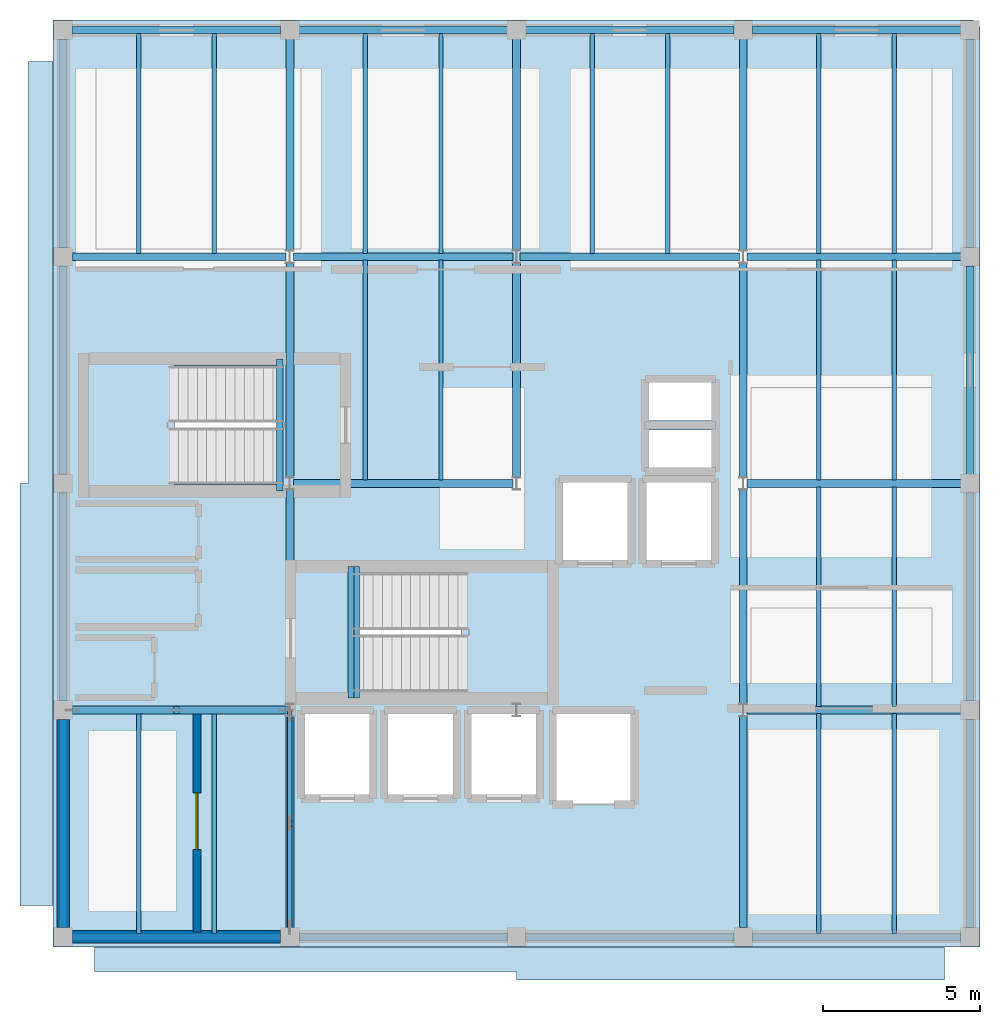
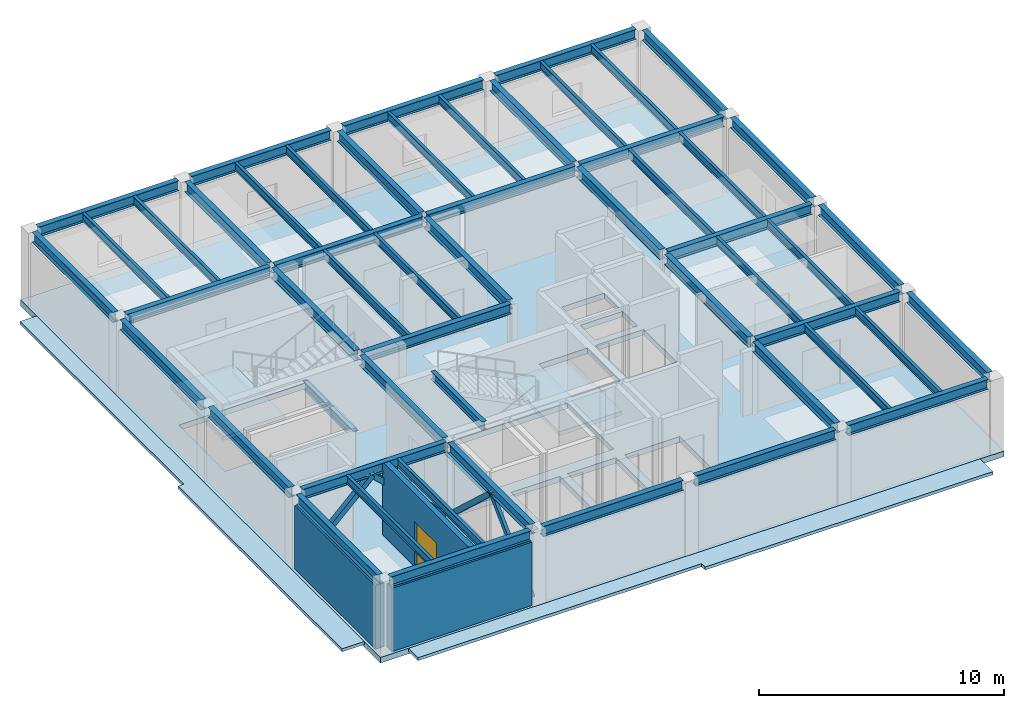
# One storey, part 3 of 8: 55 beams, 5 slabs, 4 members, 3 walls, 1 door, 1 opening, 2 elements without a shape of their own.
"""IFC4 building model written with IfcOpenShell, lengths in metres."""

from ifc_helpers import new_model, si_unit, direction, frame, frame_2d, origin, origin_2d, place, context, subcontext, project, spatial, polyline, rectangle, hollow_rectangle, i_section, outline, extrude, material, layer, layer_set, material_profile, profile_set, type_object, element, fill, aggregate, save


model = new_model("IFC4")

# Units and contexts
model_context = context("Model", 3, precision=1e-05, world=origin(), true_north=direction((0.0, 1.0)))
body_context = subcontext(model_context, "Body", "Model", "MODEL_VIEW")
ifc_project = project(units=[si_unit("LENGTHUNIT", "METRE"), si_unit("AREAUNIT", "SQUARE_METRE"), si_unit("VOLUMEUNIT", "CUBIC_METRE"), si_unit("PLANEANGLEUNIT", "RADIAN"), si_unit("MASSUNIT", "GRAM", prefix="KILO")], contexts=[model_context])

# Site, building, storey
site_placement = place(None, origin())
site = spatial("IfcSite", under=ifc_project, at=site_placement, CompositionType="ELEMENT")
building_placement = place(site_placement, origin())
building = spatial("IfcBuilding", under=site, at=building_placement, Name="Kandorven Conservatory and Botanical Research Centre", CompositionType="ELEMENT")
storey_placement = place(building_placement, frame((0.0, 0.0, 40.5)))
storey = spatial("IfcBuildingStorey", under=building, at=storey_placement, Name="L10", CompositionType="ELEMENT", Elevation=40.5)

# Beams
ifc_material_1 = material(Name="Steel S355 (IS 2062 E350)", Category="steel")
ifc_material_profile_1 = material_profile(ifc_material_1, i_section(OverallWidth=0.25, OverallDepth=0.5, WebThickness=0.010009765625, FlangeThickness=0.0146484375, at=origin_2d()))
ifc_profile_set_1 = profile_set([ifc_material_profile_1], Name="Steel S355 (IS 2062 E350)")
beam_type_1 = type_object("IfcBeamType", Name="Beam_FG-02", PredefinedType="USERDEFINED", material=ifc_profile_set_1)
beam_1_placement = place(storey_placement, frame((6.2900390625, 6.0, 3.429931640625), z_axis=(1.0, 0.0, 0.0), x_axis=(0.0, 1.0, 0.0)))
element("IfcBeam", 1, at=beam_1_placement, inside=storey, type_object=beam_type_1, Name="Primary girder FG-02 TWR L10", ObjectType="GIRDER", PredefinedType="USERDEFINED", context=body_context, shape_type="SweptSolid", body=[
    extrude(i_section(OverallWidth=0.25, OverallDepth=0.5, WebThickness=0.010009765625, FlangeThickness=0.0146484375, at=origin_2d()), origin(), (0.0, 0.0, 1.0), 6.619873046875),
])
for number, where, z_axis, x_axis, name in (
    (2, (13.489990234375, 6.0, 3.429931640625), (1.0, 0.0, 0.0), (0.0, 1.0, 0.0), "Primary girder FG-02 TWR L10"),
    (3, (20.68994140625, 6.0, 3.429931640625), (1.0, 0.0, 0.0), (0.0, 1.0, 0.0), "Primary girder FG-02 TWR L10"),
    (4, (27.889892578125, 6.0, 3.429931640625), (1.0, 0.0, 0.0), (0.0, 1.0, 0.0), "Primary girder FG-02 TWR L10"),
):
    element("IfcBeam", number, at=place(storey_placement, frame(where, z_axis=z_axis, x_axis=x_axis)), inside=storey, type_object=beam_type_1, Name=name, ObjectType="GIRDER", PredefinedType="USERDEFINED", context=body_context, shape_type="SweptSolid", body=[
        extrude(i_section(OverallWidth=0.25, OverallDepth=0.5, WebThickness=0.010009765625, FlangeThickness=0.0146484375, at=origin_2d()), origin(), (0.0, 0.0, 1.0), 6.6201171875),
    ])
for number, where, z_axis, x_axis, name in (
    (5, (6.2900390625, 13.199951171875, 3.429931640625), (1.0, 0.0, 0.0), (0.0, 1.0, 0.0), "Primary girder FG-02 TWR L10"),
    (6, (27.715087890625, 13.199951171875, 3.429931640625), (1.0, 0.0, 0.0), (0.0, 1.0, 0.0), "Primary girder FG-02 TWR L10"),
):
    element("IfcBeam", number, at=place(storey_placement, frame(where, z_axis=z_axis, x_axis=x_axis)), inside=storey, type_object=beam_type_1, Name=name, ObjectType="GIRDER", PredefinedType="USERDEFINED", context=body_context, shape_type="SweptSolid", body=[
        extrude(i_section(OverallWidth=0.25, OverallDepth=0.5, WebThickness=0.010009765625, FlangeThickness=0.0146484375, at=origin_2d()), origin(), (0.0, 0.0, 1.0), 6.794921875),
    ])
beam_2_placement = place(storey_placement, frame((13.31494140625, 20.39990234375, 3.429931640625), z_axis=(1.0, 0.0, 0.0), x_axis=(0.0, 1.0, 0.0)))
element("IfcBeam", 7, at=beam_2_placement, inside=storey, type_object=beam_type_1, Name="Primary girder FG-02 TWR L10", ObjectType="GIRDER", PredefinedType="USERDEFINED", context=body_context, shape_type="SweptSolid", body=[
    extrude(i_section(OverallWidth=0.25, OverallDepth=0.5, WebThickness=0.010009765625, FlangeThickness=0.0146484375, at=origin_2d()), origin(), (0.0, 0.0, 1.0), 6.969970703125),
])
for number, where, z_axis, x_axis, name in (
    (8, (27.715087890625, 20.39990234375, 3.429931640625), (1.0, 0.0, 0.0), (0.0, 1.0, 0.0), "Primary girder FG-02 TWR L10"),
    (9, (6.2900390625, 27.60009765625, 3.429931640625), (1.0, 0.0, 0.0), (0.0, 1.0, 0.0), "Primary girder FG-02 TWR L10"),
):
    element("IfcBeam", number, at=place(storey_placement, frame(where, z_axis=z_axis, x_axis=x_axis)), inside=storey, type_object=beam_type_1, Name=name, ObjectType="GIRDER", PredefinedType="USERDEFINED", context=body_context, shape_type="SweptSolid", body=[
        extrude(i_section(OverallWidth=0.25, OverallDepth=0.5, WebThickness=0.010009765625, FlangeThickness=0.0146484375, at=origin_2d()), origin(), (0.0, 0.0, 1.0), 6.794921875),
    ])
beam_3_placement = place(storey_placement, frame((13.31494140625, 27.60009765625, 3.429931640625), z_axis=(1.0, 0.0, 0.0), x_axis=(0.0, 1.0, 0.0)))
element("IfcBeam", 10, at=beam_3_placement, inside=storey, type_object=beam_type_1, Name="Primary girder FG-02 TWR L10", ObjectType="GIRDER", PredefinedType="USERDEFINED", context=body_context, shape_type="SweptSolid", body=[
    extrude(i_section(OverallWidth=0.25, OverallDepth=0.5, WebThickness=0.010009765625, FlangeThickness=0.0146484375, at=origin_2d()), origin(), (0.0, 0.0, 1.0), 6.969970703125),
])
beam_4_placement = place(storey_placement, frame((20.514892578125, 27.60009765625, 3.429931640625), z_axis=(1.0, 0.0, 0.0), x_axis=(0.0, 1.0, 0.0)))
element("IfcBeam", 11, at=beam_4_placement, inside=storey, type_object=beam_type_1, Name="Primary girder FG-02 TWR L10", ObjectType="GIRDER", PredefinedType="USERDEFINED", context=body_context, shape_type="SweptSolid", body=[
    extrude(i_section(OverallWidth=0.25, OverallDepth=0.5, WebThickness=0.010009765625, FlangeThickness=0.0146484375, at=origin_2d()), origin(), (0.0, 0.0, 1.0), 6.97021484375),
])
beam_5_placement = place(storey_placement, frame((27.715087890625, 27.60009765625, 3.429931640625), z_axis=(1.0, 0.0, 0.0), x_axis=(0.0, 1.0, 0.0)))
element("IfcBeam", 12, at=beam_5_placement, inside=storey, type_object=beam_type_1, Name="Primary girder FG-02 TWR L10", ObjectType="GIRDER", PredefinedType="USERDEFINED", context=body_context, shape_type="SweptSolid", body=[
    extrude(i_section(OverallWidth=0.25, OverallDepth=0.5, WebThickness=0.010009765625, FlangeThickness=0.0146484375, at=origin_2d()), origin(), (0.0, 0.0, 1.0), 6.794921875),
])
beam_6_placement = place(storey_placement, frame((6.2900390625, 34.800048828125, 3.429931640625), z_axis=(1.0, 0.0, 0.0), x_axis=(0.0, 1.0, 0.0)))
element("IfcBeam", 13, at=beam_6_placement, inside=storey, type_object=beam_type_1, Name="Primary girder FG-02 TWR L10", ObjectType="GIRDER", PredefinedType="USERDEFINED", context=body_context, shape_type="SweptSolid", body=[
    extrude(i_section(OverallWidth=0.25, OverallDepth=0.5, WebThickness=0.010009765625, FlangeThickness=0.0146484375, at=origin_2d()), origin(), (0.0, 0.0, 1.0), 6.619873046875),
])
for number, where, z_axis, x_axis, name in (
    (14, (13.489990234375, 34.800048828125, 3.429931640625), (1.0, 0.0, 0.0), (0.0, 1.0, 0.0), "Primary girder FG-02 TWR L10"),
    (15, (20.68994140625, 34.800048828125, 3.429931640625), (1.0, 0.0, 0.0), (0.0, 1.0, 0.0), "Primary girder FG-02 TWR L10"),
    (16, (27.889892578125, 34.800048828125, 3.429931640625), (1.0, 0.0, 0.0), (0.0, 1.0, 0.0), "Primary girder FG-02 TWR L10"),
):
    element("IfcBeam", number, at=place(storey_placement, frame(where, z_axis=z_axis, x_axis=x_axis)), inside=storey, type_object=beam_type_1, Name=name, ObjectType="GIRDER", PredefinedType="USERDEFINED", context=body_context, shape_type="SweptSolid", body=[
        extrude(i_section(OverallWidth=0.25, OverallDepth=0.5, WebThickness=0.010009765625, FlangeThickness=0.0146484375, at=origin_2d()), origin(), (0.0, 0.0, 1.0), 6.6201171875),
    ])
beam_7_placement = place(storey_placement, frame((6.0, 6.2900390625, 3.429931640625), z_axis=(0.0, 1.0, 0.0), x_axis=(-1.0, 0.0, 0.0)))
element("IfcBeam", 17, at=beam_7_placement, inside=storey, type_object=beam_type_1, Name="Primary girder FG-02 TWR L10", ObjectType="GIRDER", PredefinedType="USERDEFINED", context=body_context, shape_type="SweptSolid", body=[
    extrude(i_section(OverallWidth=0.25, OverallDepth=0.5, WebThickness=0.010009765625, FlangeThickness=0.0146484375, at=origin_2d()), origin(), (0.0, 0.0, 1.0), 6.619873046875),
])
for number, where, z_axis, x_axis, name in (
    (18, (6.0, 13.489990234375, 3.429931640625), (0.0, 1.0, 0.0), (-1.0, 0.0, 0.0), "Primary girder FG-02 TWR L10"),
    (19, (6.0, 20.68994140625, 3.429931640625), (0.0, 1.0, 0.0), (-1.0, 0.0, 0.0), "Primary girder FG-02 TWR L10"),
    (20, (6.0, 27.889892578125, 3.429931640625), (0.0, 1.0, 0.0), (-1.0, 0.0, 0.0), "Primary girder FG-02 TWR L10"),
):
    element("IfcBeam", number, at=place(storey_placement, frame(where, z_axis=z_axis, x_axis=x_axis)), inside=storey, type_object=beam_type_1, Name=name, ObjectType="GIRDER", PredefinedType="USERDEFINED", context=body_context, shape_type="SweptSolid", body=[
        extrude(i_section(OverallWidth=0.25, OverallDepth=0.5, WebThickness=0.010009765625, FlangeThickness=0.0146484375, at=origin_2d()), origin(), (0.0, 0.0, 1.0), 6.6201171875),
    ])
beam_8_placement = place(storey_placement, frame((13.199951171875, 6.2900390625, 3.429931640625), z_axis=(0.0, 1.0, 0.0), x_axis=(-1.0, 0.0, 0.0)))
element("IfcBeam", 21, at=beam_8_placement, inside=storey, type_object=beam_type_1, Name="Primary girder FG-02 TWR L10", ObjectType="GIRDER", PredefinedType="USERDEFINED", context=body_context, shape_type="SweptSolid", body=[
    extrude(i_section(OverallWidth=0.25, OverallDepth=0.5, WebThickness=0.010009765625, FlangeThickness=0.0146484375, at=origin_2d()), origin(), (0.0, 0.0, 1.0), 6.719970703125),
])
beam_9_placement = place(storey_placement, frame((13.199951171875, 13.389892578125, 3.429931640625), z_axis=(0.0, 1.0, 0.0), x_axis=(-1.0, 0.0, 0.0)))
element("IfcBeam", 22, at=beam_9_placement, inside=storey, type_object=beam_type_1, Name="Primary girder FG-02 TWR L10", ObjectType="GIRDER", PredefinedType="USERDEFINED", context=body_context, shape_type="SweptSolid", body=[
    extrude(i_section(OverallWidth=0.25, OverallDepth=0.5, WebThickness=0.010009765625, FlangeThickness=0.0146484375, at=origin_2d()), origin(), (0.0, 0.0, 1.0), 6.820068359375),
])
beam_10_placement = place(storey_placement, frame((13.199951171875, 20.590087890625, 3.429931640625), z_axis=(0.0, 1.0, 0.0), x_axis=(-1.0, 0.0, 0.0)))
element("IfcBeam", 23, at=beam_10_placement, inside=storey, type_object=beam_type_1, Name="Primary girder FG-02 TWR L10", ObjectType="GIRDER", PredefinedType="USERDEFINED", context=body_context, shape_type="SweptSolid", body=[
    extrude(i_section(OverallWidth=0.25, OverallDepth=0.5, WebThickness=0.010009765625, FlangeThickness=0.0146484375, at=origin_2d()), origin(), (0.0, 0.0, 1.0), 6.81982421875),
])
beam_11_placement = place(storey_placement, frame((13.199951171875, 27.7900390625, 3.429931640625), z_axis=(0.0, 1.0, 0.0), x_axis=(-1.0, 0.0, 0.0)))
element("IfcBeam", 24, at=beam_11_placement, inside=storey, type_object=beam_type_1, Name="Primary girder FG-02 TWR L10", ObjectType="GIRDER", PredefinedType="USERDEFINED", context=body_context, shape_type="SweptSolid", body=[
    extrude(i_section(OverallWidth=0.25, OverallDepth=0.5, WebThickness=0.010009765625, FlangeThickness=0.0146484375, at=origin_2d()), origin(), (0.0, 0.0, 1.0), 6.719970703125),
])
beam_12_placement = place(storey_placement, frame((20.39990234375, 20.590087890625, 3.429931640625), z_axis=(0.0, 1.0, 0.0), x_axis=(-1.0, 0.0, 0.0)))
element("IfcBeam", 25, at=beam_12_placement, inside=storey, type_object=beam_type_1, Name="Primary girder FG-02 TWR L10", ObjectType="GIRDER", PredefinedType="USERDEFINED", context=body_context, shape_type="SweptSolid", body=[
    extrude(i_section(OverallWidth=0.25, OverallDepth=0.5, WebThickness=0.010009765625, FlangeThickness=0.0146484375, at=origin_2d()), origin(), (0.0, 0.0, 1.0), 6.81982421875),
])
for number, where, z_axis, x_axis, name in (
    (26, (20.39990234375, 27.7900390625, 3.429931640625), (0.0, 1.0, 0.0), (-1.0, 0.0, 0.0), "Primary girder FG-02 TWR L10"),
    (27, (27.60009765625, 6.2900390625, 3.429931640625), (0.0, 1.0, 0.0), (-1.0, 0.0, 0.0), "Primary girder FG-02 TWR L10"),
):
    element("IfcBeam", number, at=place(storey_placement, frame(where, z_axis=z_axis, x_axis=x_axis)), inside=storey, type_object=beam_type_1, Name=name, ObjectType="GIRDER", PredefinedType="USERDEFINED", context=body_context, shape_type="SweptSolid", body=[
        extrude(i_section(OverallWidth=0.25, OverallDepth=0.5, WebThickness=0.010009765625, FlangeThickness=0.0146484375, at=origin_2d()), origin(), (0.0, 0.0, 1.0), 6.719970703125),
    ])
beam_13_placement = place(storey_placement, frame((27.60009765625, 13.389892578125, 3.429931640625), z_axis=(0.0, 1.0, 0.0), x_axis=(-1.0, 0.0, 0.0)))
element("IfcBeam", 28, at=beam_13_placement, inside=storey, type_object=beam_type_1, Name="Primary girder FG-02 TWR L10", ObjectType="GIRDER", PredefinedType="USERDEFINED", context=body_context, shape_type="SweptSolid", body=[
    extrude(i_section(OverallWidth=0.25, OverallDepth=0.5, WebThickness=0.010009765625, FlangeThickness=0.0146484375, at=origin_2d()), origin(), (0.0, 0.0, 1.0), 6.820068359375),
])
beam_14_placement = place(storey_placement, frame((27.60009765625, 20.590087890625, 3.429931640625), z_axis=(0.0, 1.0, 0.0), x_axis=(-1.0, 0.0, 0.0)))
element("IfcBeam", 29, at=beam_14_placement, inside=storey, type_object=beam_type_1, Name="Primary girder FG-02 TWR L10", ObjectType="GIRDER", PredefinedType="USERDEFINED", context=body_context, shape_type="SweptSolid", body=[
    extrude(i_section(OverallWidth=0.25, OverallDepth=0.5, WebThickness=0.010009765625, FlangeThickness=0.0146484375, at=origin_2d()), origin(), (0.0, 0.0, 1.0), 6.81982421875),
])
beam_15_placement = place(storey_placement, frame((27.60009765625, 27.7900390625, 3.429931640625), z_axis=(0.0, 1.0, 0.0), x_axis=(-1.0, 0.0, 0.0)))
element("IfcBeam", 30, at=beam_15_placement, inside=storey, type_object=beam_type_1, Name="Primary girder FG-02 TWR L10", ObjectType="GIRDER", PredefinedType="USERDEFINED", context=body_context, shape_type="SweptSolid", body=[
    extrude(i_section(OverallWidth=0.25, OverallDepth=0.5, WebThickness=0.010009765625, FlangeThickness=0.0146484375, at=origin_2d()), origin(), (0.0, 0.0, 1.0), 6.719970703125),
])
beam_16_placement = place(storey_placement, frame((34.800048828125, 6.2900390625, 3.429931640625), z_axis=(0.0, 1.0, 0.0), x_axis=(-1.0, 0.0, 0.0)))
element("IfcBeam", 31, at=beam_16_placement, inside=storey, type_object=beam_type_1, Name="Primary girder FG-02 TWR L10", ObjectType="GIRDER", PredefinedType="USERDEFINED", context=body_context, shape_type="SweptSolid", body=[
    extrude(i_section(OverallWidth=0.25, OverallDepth=0.5, WebThickness=0.010009765625, FlangeThickness=0.0146484375, at=origin_2d()), origin(), (0.0, 0.0, 1.0), 6.619873046875),
])
for number, where, z_axis, x_axis, name in (
    (32, (34.800048828125, 13.489990234375, 3.429931640625), (0.0, 1.0, 0.0), (-1.0, 0.0, 0.0), "Primary girder FG-02 TWR L10"),
    (33, (34.800048828125, 20.68994140625, 3.429931640625), (0.0, 1.0, 0.0), (-1.0, 0.0, 0.0), "Primary girder FG-02 TWR L10"),
    (34, (34.800048828125, 27.889892578125, 3.429931640625), (0.0, 1.0, 0.0), (-1.0, 0.0, 0.0), "Primary girder FG-02 TWR L10"),
):
    element("IfcBeam", number, at=place(storey_placement, frame(where, z_axis=z_axis, x_axis=x_axis)), inside=storey, type_object=beam_type_1, Name=name, ObjectType="GIRDER", PredefinedType="USERDEFINED", context=body_context, shape_type="SweptSolid", body=[
        extrude(i_section(OverallWidth=0.25, OverallDepth=0.5, WebThickness=0.010009765625, FlangeThickness=0.0146484375, at=origin_2d()), origin(), (0.0, 0.0, 1.0), 6.6201171875),
    ])
ifc_material_2 = material(Name="Steel S355 (IS 2062 E350)", Category="steel")
ifc_material_profile_2 = material_profile(ifc_material_2, i_section(OverallWidth=0.199951171875, OverallDepth=0.39990234375, WebThickness=0.008544921875, FlangeThickness=0.012939453125, at=origin_2d()))
ifc_profile_set_2 = profile_set([ifc_material_profile_2], Name="Steel S355 (IS 2062 E350)")
beam_type_2 = type_object("IfcBeamType", Name="Beam_FG-03", PredefinedType="USERDEFINED", material=ifc_profile_set_2)
for number, where, z_axis, x_axis, name in (
    (35, (15.320068359375, 13.580078125, -0.199951171875), (0.0, 1.0, 0.0), (-1.0, 0.0, 0.0), "Stair well bottom trimmer girder FG-03 ST-T1 L10"),
    (36, (15.139892578125, 13.580078125, 3.47998046875), (0.0, 1.0, 0.0), (-1.0, 0.0, 0.0), "Stair well top header girder FG-03 ST-T1 L10"),
):
    element("IfcBeam", number, at=place(storey_placement, frame(where, z_axis=z_axis, x_axis=x_axis)), inside=storey, type_object=beam_type_2, Name=name, ObjectType="GIRDER", PredefinedType="USERDEFINED", context=body_context, shape_type="SweptSolid", body=[
        extrude(i_section(OverallWidth=0.199951171875, OverallDepth=0.39990234375, WebThickness=0.008544921875, FlangeThickness=0.012939453125, at=origin_2d()), origin(), (0.0, 0.0, 1.0), 4.18994140625),
    ])
beam_17_placement = place(storey_placement, frame((12.8798828125, 24.35009765625, -0.199951171875), z_axis=(0.0, -1.0, 0.0), x_axis=(1.0, 0.0, 0.0)))
element("IfcBeam", 37, at=beam_17_placement, inside=storey, type_object=beam_type_2, Name="Stair well bottom trimmer girder FG-03 ST-T2 L10", ObjectType="GIRDER", PredefinedType="USERDEFINED", context=body_context, shape_type="SweptSolid", body=[
    extrude(i_section(OverallWidth=0.199951171875, OverallDepth=0.39990234375, WebThickness=0.008544921875, FlangeThickness=0.012939453125, at=origin_2d()), origin(), (0.0, 0.0, 1.0), 4.190185546875),
])
ifc_material_3 = material(Name="Steel S355 (IS 2062 E350)", Category="steel")
ifc_material_profile_3 = material_profile(ifc_material_3, i_section(OverallWidth=0.139892578125, OverallDepth=0.39990234375, WebThickness=0.0087890625, FlangeThickness=0.01611328125, at=origin_2d()))
ifc_profile_set_3 = profile_set([ifc_material_profile_3], Name="Steel S355 (IS 2062 E350)")
beam_type_3 = type_object("IfcBeamType", Name="Beam_SB-05", PredefinedType="BEAM", material=ifc_profile_set_3)
for number, where, z_axis, x_axis, name in (
    (38, (8.39990234375, 6.110107421875, 3.47998046875), (0.0, 1.0, 0.0), (-1.0, 0.0, 0.0), "Composite secondary beam SB-05 TWR L10"),
    (39, (10.800048828125, 6.110107421875, 3.47998046875), (0.0, 1.0, 0.0), (-1.0, 0.0, 0.0), "Composite secondary beam SB-05 TWR L10"),
    (40, (8.39990234375, 27.7099609375, 3.47998046875), (0.0, 1.0, 0.0), (-1.0, 0.0, 0.0), "Composite secondary beam SB-05 TWR L10"),
    (41, (10.800048828125, 27.7099609375, 3.47998046875), (0.0, 1.0, 0.0), (-1.0, 0.0, 0.0), "Composite secondary beam SB-05 TWR L10"),
    (42, (15.60009765625, 20.510009765625, 3.47998046875), (0.0, 1.0, 0.0), (-1.0, 0.0, 0.0), "Composite secondary beam SB-05 TWR L10"),
    (43, (18.0, 20.510009765625, 3.47998046875), (0.0, 1.0, 0.0), (-1.0, 0.0, 0.0), "Composite secondary beam SB-05 TWR L10"),
    (44, (15.60009765625, 27.7099609375, 3.47998046875), (0.0, 1.0, 0.0), (-1.0, 0.0, 0.0), "Composite secondary beam SB-05 TWR L10"),
    (45, (18.0, 27.7099609375, 3.47998046875), (0.0, 1.0, 0.0), (-1.0, 0.0, 0.0), "Composite secondary beam SB-05 TWR L10"),
    (46, (22.800048828125, 27.7099609375, 3.47998046875), (0.0, 1.0, 0.0), (-1.0, 0.0, 0.0), "Composite secondary beam SB-05 TWR L10"),
    (47, (25.199951171875, 27.7099609375, 3.47998046875), (0.0, 1.0, 0.0), (-1.0, 0.0, 0.0), "Composite secondary beam SB-05 TWR L10"),
    (48, (30.0, 6.110107421875, 3.47998046875), (0.0, 1.0, 0.0), (-1.0, 0.0, 0.0), "Composite secondary beam SB-05 TWR L10"),
    (49, (32.39990234375, 6.110107421875, 3.47998046875), (0.0, 1.0, 0.0), (-1.0, 0.0, 0.0), "Composite secondary beam SB-05 TWR L10"),
    (50, (30.0, 13.31005859375, 3.47998046875), (0.0, 1.0, 0.0), (-1.0, 0.0, 0.0), "Composite secondary beam SB-05 TWR L10"),
    (51, (32.39990234375, 13.31005859375, 3.47998046875), (0.0, 1.0, 0.0), (-1.0, 0.0, 0.0), "Composite secondary beam SB-05 TWR L10"),
    (52, (30.0, 20.510009765625, 3.47998046875), (0.0, 1.0, 0.0), (-1.0, 0.0, 0.0), "Composite secondary beam SB-05 TWR L10"),
    (53, (32.39990234375, 20.510009765625, 3.47998046875), (0.0, 1.0, 0.0), (-1.0, 0.0, 0.0), "Composite secondary beam SB-05 TWR L10"),
    (54, (30.0, 27.7099609375, 3.47998046875), (0.0, 1.0, 0.0), (-1.0, 0.0, 0.0), "Composite secondary beam SB-05 TWR L10"),
    (55, (32.39990234375, 27.7099609375, 3.47998046875), (0.0, 1.0, 0.0), (-1.0, 0.0, 0.0), "Composite secondary beam SB-05 TWR L10"),
):
    element("IfcBeam", number, at=place(storey_placement, frame(where, z_axis=z_axis, x_axis=x_axis)), inside=storey, type_object=beam_type_3, Name=name, PredefinedType="BEAM", context=body_context, shape_type="SweptSolid", body=[
        extrude(i_section(OverallWidth=0.139892578125, OverallDepth=0.39990234375, WebThickness=0.0087890625, FlangeThickness=0.01611328125, at=origin_2d()), origin(), (0.0, 0.0, 1.0), 6.97998046875),
    ])

# Members
ifc_material_4 = material(Name="Steel S355 (IS 2062 E350)", Category="steel")
ifc_material_profile_4 = material_profile(ifc_material_4, hollow_rectangle(XDim=0.25, YDim=0.25, WallThickness=0.011962890625, at=origin_2d()))
ifc_profile_set_4 = profile_set([ifc_material_profile_4], Name="Steel S355 (IS 2062 E350)")
member_type_1 = type_object("IfcMemberType", Name="Mem_BR-02", PredefinedType="BRACE", material=ifc_profile_set_4)
member_1_placement = place(storey_placement, frame((6.300048828125, 13.199951171875, 0.0), z_axis=(0.716823350173, 0.0, 0.697254820454), x_axis=(0.0, 1.0, 0.0)))
element("IfcMember", 56, at=member_1_placement, inside=storey, type_object=member_type_1, Name="Tower lateral chevron brace BR-02 L10 W", PredefinedType="BRACE", context=body_context, shape_type="SweptSolid", body=[
    extrude(hollow_rectangle(XDim=0.25, YDim=0.25, WallThickness=0.011962890625, at=origin_2d()), origin(), (0.0, 0.0, 1.0), 4.603759765625),
])
member_2_placement = place(storey_placement, frame((13.074951171875, 13.199951171875, 0.0), z_axis=(-0.734550130333, 0.0, 0.678554423777), x_axis=(0.0, -1.0, 0.0)))
element("IfcMember", 57, at=member_2_placement, inside=storey, type_object=member_type_1, Name="Tower lateral chevron brace BR-02 L10 E", PredefinedType="BRACE", context=body_context, shape_type="SweptSolid", body=[
    extrude(hollow_rectangle(XDim=0.25, YDim=0.25, WallThickness=0.011962890625, at=origin_2d()), origin(), (0.0, 0.0, 1.0), 4.73046875),
])
ifc_material_5 = material(Name="Steel S355 (IS 2062 E350)", Category="steel")
ifc_material_profile_5 = material_profile(ifc_material_5, hollow_rectangle(XDim=0.14990234375, YDim=0.25, WallThickness=0.010009765625, at=origin_2d()))
ifc_profile_set_5 = profile_set([ifc_material_profile_5], Name="Steel S355 (IS 2062 E350)")
member_type_2 = type_object("IfcMemberType", Name="Mem_BR-04", PredefinedType="BRACE", material=ifc_profile_set_5)
member_3_placement = place(storey_placement, frame((13.199951171875, 6.300048828125, 0.0), z_axis=(0.0, 0.716823350173, 0.697254820454), x_axis=(-1.0, 0.0, 0.0)))
element("IfcMember", 58, at=member_3_placement, inside=storey, type_object=member_type_2, Name="Tower lateral chevron brace BR-04 L10 S", PredefinedType="BRACE", context=body_context, shape_type="SweptSolid", body=[
    extrude(hollow_rectangle(XDim=0.14990234375, YDim=0.25, WallThickness=0.010009765625, at=origin_2d()), origin(), (0.0, 0.0, 1.0), 4.603759765625),
])
member_4_placement = place(storey_placement, frame((13.199951171875, 13.074951171875, 0.0), z_axis=(0.0, -0.734550130333, 0.678554423777), x_axis=(1.0, 0.0, 0.0)))
element("IfcMember", 59, at=member_4_placement, inside=storey, type_object=member_type_2, Name="Tower lateral chevron brace BR-04 L10 N", PredefinedType="BRACE", context=body_context, shape_type="SweptSolid", body=[
    extrude(hollow_rectangle(XDim=0.14990234375, YDim=0.25, WallThickness=0.010009765625, at=origin_2d()), origin(), (0.0, 0.0, 1.0), 4.73046875),
])

# Slabs
ifc_material_6 = material(Name="Concrete C32/40 (M40)", Category="concrete")
ifc_layer_1 = layer(ifc_material_6, 0.280029296875)
ifc_layer_set_1 = layer_set([ifc_layer_1], Name="Concrete C32/40 (M40)")
slab_type_1 = type_object("IfcSlabType", Name="Slab_SL-04", PredefinedType="FLOOR", material=ifc_layer_set_1)
slab_1_placement = place(storey_placement, frame((0.0, 0.0, -0.280029296875)))
element("IfcSlab", 60, at=slab_1_placement, inside=storey, type_object=slab_type_1, Name="Tower floor slab L10", PredefinedType="FLOOR", context=body_context, shape_type="SweptSolid", body=[
    extrude(outline(polyline([(5.679931640625, 5.679931640625), (35.1201171875, 5.679931640625), (35.1201171875, 34.919921875), (34.919921875, 34.919921875), (34.919921875, 35.1201171875), (5.679931640625, 35.1201171875), (5.679931640625, 5.679931640625)]), holes=[polyline([(15.239990234375, 13.780029296875), (21.3798828125, 13.780029296875), (21.3798828125, 17.570068359375), (15.239990234375, 17.570068359375), (15.239990234375, 13.780029296875)]), polyline([(12.9599609375, 24.14990234375), (6.820068359375, 24.14990234375), (6.820068359375, 20.360107421875), (12.9599609375, 20.360107421875), (12.9599609375, 24.14990234375)]), polyline([(21.75, 17.85009765625), (24.050048828125, 17.85009765625), (24.050048828125, 20.550048828125), (21.75, 20.550048828125), (21.75, 17.85009765625)]), polyline([(24.39990234375, 17.85009765625), (26.699951171875, 17.85009765625), (26.699951171875, 20.550048828125), (24.39990234375, 20.550048828125), (24.39990234375, 17.85009765625)]), polyline([(13.550048828125, 10.39990234375), (15.85009765625, 10.39990234375), (15.85009765625, 13.199951171875), (13.550048828125, 13.199951171875), (13.550048828125, 10.39990234375)]), polyline([(16.199951171875, 10.39990234375), (18.5, 10.39990234375), (18.5, 13.199951171875), (16.199951171875, 13.199951171875), (16.199951171875, 10.39990234375)]), polyline([(18.85009765625, 10.39990234375), (21.14990234375, 10.39990234375), (21.14990234375, 13.199951171875), (18.85009765625, 13.199951171875), (18.85009765625, 10.39990234375)]), polyline([(21.550048828125, 10.199951171875), (24.14990234375, 10.199951171875), (24.14990234375, 13.199951171875), (21.550048828125, 13.199951171875), (21.550048828125, 10.199951171875)]), polyline([(24.60009765625, 20.89990234375), (26.60009765625, 20.89990234375), (26.60009765625, 22.10009765625), (24.60009765625, 22.10009765625), (24.60009765625, 20.89990234375)]), polyline([(24.60009765625, 22.39990234375), (26.60009765625, 22.39990234375), (26.60009765625, 23.60009765625), (24.60009765625, 23.60009765625), (24.60009765625, 22.39990234375)])]), origin(), (0.0, 0.0, 1.0), 0.280029296875),
])
ifc_material_7 = material(Name="Concrete C32/40 (M40)", Category="concrete")
ifc_layer_2 = layer(ifc_material_7, 0.14990234375)
ifc_layer_set_2 = layer_set([ifc_layer_2], Name="Concrete C32/40 (M40)")
slab_type_2 = type_object("IfcSlabType", Name="Slab_SL-15", PredefinedType="FLOOR", material=ifc_layer_set_2)
slab_2_placement = place(storey_placement, frame((0.0, 0.0, -0.14990234375)))
element("IfcSlab", 61, at=slab_2_placement, inside=storey, type_object=slab_type_2, Name="Tower south sculpted concrete solar-hood slab L10", PredefinedType="FLOOR", context=body_context, shape_type="SweptSolid", body=[
    extrude(outline(polyline([(7.0, 5.679931640625), (34.0, 5.679931640625), (34.0, 4.6298828125), (20.39990234375, 4.6298828125), (20.39990234375, 4.89990234375), (7.0, 4.89990234375), (7.0, 5.679931640625)])), origin(), (0.0, 0.0, 1.0), 0.14990234375),
])
slab_3_placement = place(storey_placement, frame((0.0, 0.0, -0.14990234375)))
element("IfcSlab", 62, at=slab_3_placement, inside=storey, type_object=slab_type_2, Name="Tower west sculpted concrete solar-hood slab L10", PredefinedType="FLOOR", context=body_context, shape_type="SweptSolid", body=[
    extrude(outline(polyline([(4.6298828125, 7.0), (5.679931640625, 7.0), (5.679931640625, 33.800048828125), (4.89990234375, 33.800048828125), (4.89990234375, 20.39990234375), (4.6298828125, 20.39990234375), (4.6298828125, 7.0)])), origin(), (0.0, 0.0, 1.0), 0.14990234375),
])

# Stair, slab
ifc_material_8 = material(Name="Concrete C32/40 (M40)", Category="concrete")
stair_type = type_object("IfcStairType", Name="Stair_1820", PredefinedType="HALF_TURN_STAIR", material=ifc_material_8)
stair_1_placement = place(storey_placement, origin())
stair_1 = element("IfcStair", 63, at=stair_1_placement, inside=storey, type_object=stair_type, Name="L10 Tower Fire Stair ST-T1", PredefinedType="HALF_TURN_STAIR")
ifc_material_9 = material(Name="Concrete C32/40 (M40)", Category="concrete")
ifc_layer_3 = layer(ifc_material_9, 0.199951171875)
ifc_layer_set_3 = layer_set([ifc_layer_3], Name="Concrete C32/40 (M40)")
slab_type_3 = type_object("IfcSlabType", Name="StairLanding_200", PredefinedType="LANDING", material=ifc_layer_set_3)
slab_4_placement = place(storey_placement, frame((0.0, 0.0, 1.75)))
slab_4 = element("IfcSlab", 64, at=slab_4_placement, type_object=slab_type_3, Name="ST-T1 landing 1", PredefinedType="LANDING", context=body_context, shape_type="SweptSolid", body=[
    extrude(outline(polyline([(18.659423828125, 13.5400390625), (21.6201171875, 13.5400390625), (21.6201171875, 17.81005859375), (18.659423828125, 17.81005859375), (18.659423828125, 13.5400390625)])), origin(), (0.0, 0.0, 1.0), 0.199951171875),
])
aggregate(stair_1, [slab_4])

stair_2_placement = place(storey_placement, origin())
stair_2 = element("IfcStair", 65, at=stair_2_placement, inside=storey, type_object=stair_type, Name="L10 Tower Fire Stair ST-T2", PredefinedType="HALF_TURN_STAIR")
slab_5_placement = place(storey_placement, frame((0.0, 0.0, 1.75)))
slab_5 = element("IfcSlab", 66, at=slab_5_placement, type_object=slab_type_3, Name="ST-T2 landing 1", PredefinedType="LANDING", context=body_context, shape_type="SweptSolid", body=[
    extrude(outline(polyline([(9.54052734375, 24.389892578125), (6.580078125, 24.389892578125), (6.580078125, 20.1201171875), (9.54052734375, 20.1201171875), (9.54052734375, 24.389892578125)])), origin(), (0.0, 0.0, 1.0), 0.199951171875),
])
aggregate(stair_2, [slab_5])

# Walls
ifc_material_10 = material(Name="Concrete C40/50 (M50)", Category="concrete")
ifc_layer_4 = layer(ifc_material_10, 0.39990234375)
ifc_layer_set_4 = layer_set([ifc_layer_4], Name="Concrete C40/50 (M50)")
wall_type_1 = type_object("IfcWallType", Name="Wall_EW-HB-01", PredefinedType="STANDARD", material=ifc_layer_set_4)
for number, where, z_axis, x_axis, name in (
    (67, (6.300048828125, 6.0, 0.0), (0.0, 0.0, 1.0), (1.0, 0.0, 0.0), "Tower concrete facade wall EW-HB-01 S L10"),
    (68, (6.0, 6.300048828125, 0.0), (0.0, 0.0, 1.0), (0.0, 1.0, 0.0), "Tower concrete facade wall EW-HB-01 W L10"),
):
    element("IfcWall", number, at=place(storey_placement, frame(where, z_axis=z_axis, x_axis=x_axis)), inside=storey, type_object=wall_type_1, Name=name, PredefinedType="STANDARD", context=body_context, shape_type="SweptSolid", body=[
        extrude(rectangle(XDim=6.599853515625, YDim=0.39990234375, at=frame_2d((3.2998046875, 0.0))), origin(), (0.0, 0.0, 1.0), 3.159912109375),
    ])

# Wall, opening, door
ifc_material_11 = material(Name="Concrete C32/40 (M40)", Category="concrete")
ifc_layer_5 = layer(ifc_material_11, 0.25)
ifc_layer_set_5 = layer_set([ifc_layer_5], Name="Concrete C32/40 (M40)")
wall_type_2 = type_object("IfcWallType", Name="Wall_IW-FR-1", PredefinedType="SOLIDWALL", material=ifc_layer_set_5)
wall_placement = place(storey_placement, frame((10.25, 6.14990234375, 0.0), z_axis=(0.0, 0.0, 1.0), x_axis=(0.0, 1.0, 0.0)))
wall = element("IfcWall", 69, at=wall_placement, inside=storey, type_object=wall_type_2, Name="Interior fire partition wall IW-FR-1 (Herbarium Type Specimen Vault L10)", PredefinedType="SOLIDWALL", context=body_context, shape_type="SweptSolid", body=[
    extrude(rectangle(XDim=7.050048828125, YDim=0.25, at=frame_2d((3.52490234375, 0.0))), origin(), (0.0, 0.0, 1.0), 3.659912109375),
])
opening_placement = place(wall_placement, frame((2.625, 0.0, 0.0)))
opening = element("IfcOpeningElement", 70, at=opening_placement, cuts=wall, Name="Opening FD-4", PredefinedType="OPENING", context=body_context, shape_type="SweptSolid", body=[
    extrude(rectangle(XDim=1.800048828125, YDim=2.25, at=frame_2d((0.89990234375, 1.125))), frame((0.0, 0.135009765625, 0.0), z_axis=(0.0, -1.0, 0.0), x_axis=(1.0, 0.0, 0.0)), (0.0, 0.0, 1.0), 0.27001953125),
])
ifc_material_12 = material(Name="Galvanised hollow steel fire door assembly", Category="steel")
door_type = type_object("IfcDoorType", Name="Door_FD-4", OperationType="NOTDEFINED", PredefinedType="DOOR", material=ifc_material_12)
door_placement = place(opening_placement, origin())
door = element("IfcDoor", 71, at=door_placement, inside=storey, type_object=door_type, Name="Interior door FD-4 to Herbarium Type Specimen Vault L10", OperationType="DOUBLE_DOOR_SINGLE_SWING", OverallHeight=2.25, OverallWidth=1.800048828125, PredefinedType="DOOR", context=body_context, shape_type="SweptSolid", body=[
    extrude(rectangle(XDim=1.800048828125, YDim=2.25, at=frame_2d((0.89990234375, 1.125))), frame((0.0, 0.02490234375, 0.0), z_axis=(0.0, -1.0, 0.0), x_axis=(1.0, 0.0, 0.0)), (0.0, 0.0, 1.0), 0.050048828125),
])
fill(opening, door)

save(model, "model.ifc")
